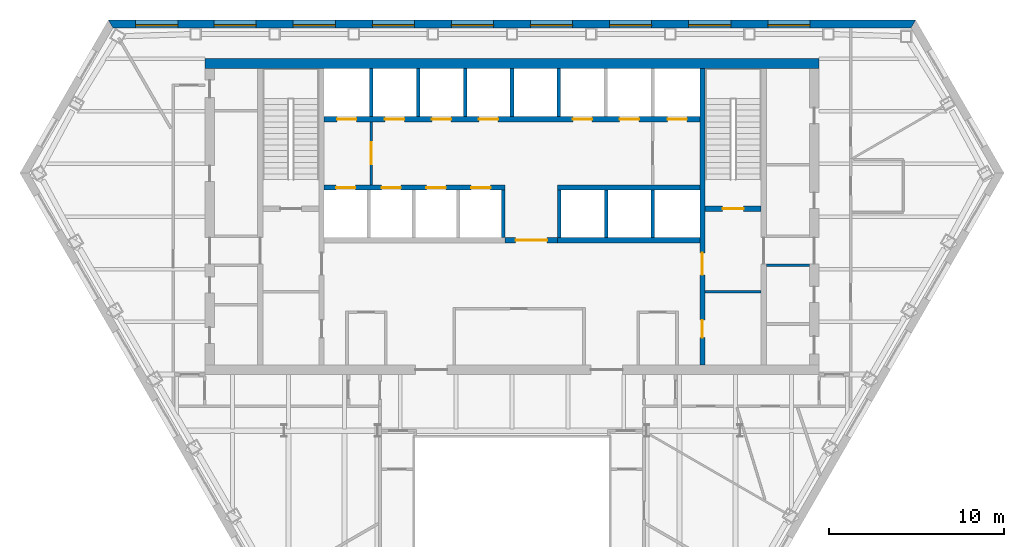
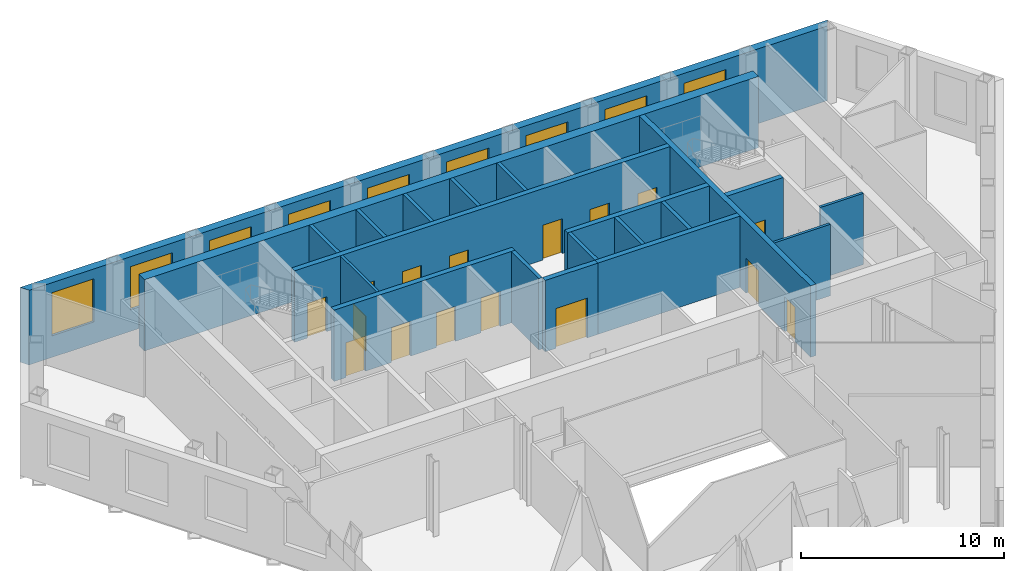
# One storey, part 7 of 11: 21 walls, 16 doors, 9 windows, 25 openings.
"""IFC4 building model written with IfcOpenShell, lengths in metres."""

from ifc_helpers import new_model, si_unit, direction, frame, frame_2d, origin, place, context, subcontext, project, spatial, polyline, rectangle, outline, extrude, material, layer, layer_set, type_object, element, fill, save


model = new_model("IFC4")

# Units and contexts
model_context = context("Model", 3, precision=1e-05, world=origin(), true_north=direction((0.0, 1.0)))
body_context = subcontext(model_context, "Body", "Model", "MODEL_VIEW")
ifc_project = project(units=[si_unit("LENGTHUNIT", "METRE"), si_unit("AREAUNIT", "SQUARE_METRE"), si_unit("VOLUMEUNIT", "CUBIC_METRE"), si_unit("PLANEANGLEUNIT", "RADIAN"), si_unit("MASSUNIT", "GRAM", prefix="KILO")], contexts=[model_context])

# Site, building, storey
site_placement = place(None, origin())
site = spatial("IfcSite", under=ifc_project, at=site_placement, CompositionType="ELEMENT")
building_placement = place(site_placement, origin())
building = spatial("IfcBuilding", under=site, at=building_placement, Name="Njiva Tower", CompositionType="ELEMENT")
storey_placement = place(building_placement, frame((0.0, 0.0, 97.8)))
storey = spatial("IfcBuildingStorey", under=building, at=storey_placement, Name="L20", CompositionType="ELEMENT", Elevation=97.8)

# Wall
ifc_material_1 = material(Name="Blockwork", Category="masonry")
ifc_layer_1 = layer(ifc_material_1, 0.15)
ifc_layer_set_1 = layer_set([ifc_layer_1], Name="Blockwork")
wall_type_1 = type_object("IfcWallType", Name="WT1 Compartment partition 150", PredefinedType="PARTITIONING", material=ifc_layer_set_1)
wall_1_placement = place(storey_placement, frame((11.0, 4.725, 0.0), z_axis=(0.0, 0.0, 1.0), x_axis=(1.0, 0.0, 0.0)))
element("IfcWall", 1, at=wall_1_placement, inside=storey, type_object=wall_type_1, Name="Room wall B", PredefinedType="PARTITIONING", context=body_context, shape_type="SweptSolid", body=[
    extrude(rectangle(XDim=3.2, YDim=0.15, at=frame_2d((1.6, 0.0))), origin(), (0.0, 0.0, 1.0), 4.3),
])

# Wall, openings, doors
ifc_material_2 = material(Name="Concrete C40/50", Category="concrete")
ifc_layer_2 = layer(ifc_material_2, 0.3)
ifc_layer_set_2 = layer_set([ifc_layer_2], Name="Concrete C40/50")
wall_type_2 = type_object("IfcWallType", Name="WT10 Stair enclosure wall 300", PredefinedType="SHEAR", material=ifc_layer_set_2)
wall_2_placement = place(storey_placement, frame((10.85, 0.55, 0.0), z_axis=(0.0, 0.0, 1.0), x_axis=(0.0, 1.0, 0.0)))
wall_2 = element("IfcWall", 2, at=wall_2_placement, inside=storey, type_object=wall_type_2, Name="Stair wall east inner", PredefinedType="SHEAR", context=body_context, shape_type="SweptSolid", body=[
    extrude(rectangle(XDim=16.9, YDim=0.3, at=frame_2d((8.45, 0.0))), origin(), (0.0, 0.0, 1.0), 4.3),
])
opening_1_placement = place(wall_2_placement, frame((5.125, 0.0, 0.0)))
opening_1 = element("IfcOpeningElement", 3, at=opening_1_placement, cuts=wall_2, Name="Opening S07-D918", PredefinedType="OPENING", context=body_context, shape_type="SweptSolid", body=[
    extrude(rectangle(XDim=1.25, YDim=2.1, at=frame_2d((0.625, 1.05))), frame((0.0, 0.16, 0.0), z_axis=(0.0, -1.0, 0.0), x_axis=(1.0, 0.0, 0.0)), (0.0, 0.0, 1.0), 0.32),
])
opening_2_placement = place(wall_2_placement, frame((1.55, 0.0, 0.0)))
opening_2 = element("IfcOpeningElement", 4, at=opening_2_placement, cuts=wall_2, Name="Opening S07-D919", PredefinedType="OPENING", context=body_context, shape_type="SweptSolid", body=[
    extrude(rectangle(XDim=1.0, YDim=2.1, at=frame_2d((0.5, 1.05))), frame((0.0, 0.16, 0.0), z_axis=(0.0, -1.0, 0.0), x_axis=(1.0, 0.0, 0.0)), (0.0, 0.0, 1.0), 0.32),
])
ifc_material_3 = material(Name="Steel door, painted", Category="steel")
door_type_1 = type_object("IfcDoorType", Name="D5 Steel door 1000x2100", OperationType="SINGLE_SWING_LEFT", PredefinedType="DOOR", material=ifc_material_3)
door_1_placement = place(opening_2_placement, origin())
door_1 = element("IfcDoor", 5, at=door_1_placement, inside=storey, type_object=door_type_1, Name="Breakout room door", OperationType="SINGLE_SWING_LEFT", OverallHeight=2.1, OverallWidth=1.0, PredefinedType="DOOR", context=body_context, shape_type="SweptSolid", body=[
    extrude(rectangle(XDim=1.0, YDim=2.1, at=frame_2d((0.5, 1.05))), frame((0.0, 0.025, 0.0), z_axis=(0.0, -1.0, 0.0), x_axis=(1.0, 0.0, 0.0)), (0.0, 0.0, 1.0), 0.05),
])
fill(opening_2, door_1)
ifc_material_4 = material(Name="Glazed steel fire door", Category="steel")
door_type_2 = type_object("IfcDoorType", Name="D8 Vestibule corridor door 1250x2100 glazed", OperationType="SINGLE_SWING_LEFT", PredefinedType="DOOR", material=ifc_material_4)
door_2_placement = place(opening_1_placement, origin())
door_2 = element("IfcDoor", 6, at=door_2_placement, inside=storey, type_object=door_type_2, Name="Stair vestibule corridor door", OperationType="SINGLE_SWING_RIGHT", OverallHeight=2.1, OverallWidth=1.25, PredefinedType="DOOR", context=body_context, shape_type="SweptSolid", body=[
    extrude(rectangle(XDim=1.25, YDim=2.1, at=frame_2d((0.625, 1.05))), frame((0.0, 0.025, 0.0), z_axis=(0.0, -1.0, 0.0), x_axis=(1.0, 0.0, 0.0)), (0.0, 0.0, 1.0), 0.05),
])
fill(opening_1, door_2)

# Wall, opening, door
wall_3_placement = place(storey_placement, frame((11.0, 9.45, 0.0), z_axis=(0.0, 0.0, 1.0), x_axis=(1.0, 0.0, 0.0)))
wall_3 = element("IfcWall", 7, at=wall_3_placement, inside=storey, type_object=wall_type_2, Name="Stair B south wall", PredefinedType="SHEAR", context=body_context, shape_type="SweptSolid", body=[
    extrude(rectangle(XDim=3.2, YDim=0.3, at=frame_2d((1.6, 0.0))), origin(), (0.0, 0.0, 1.0), 4.3),
])
opening_3_placement = place(wall_3_placement, frame((1.0, 0.0, 0.0)))
opening_3 = element("IfcOpeningElement", 8, at=opening_3_placement, cuts=wall_3, Name="Opening S07-D917", PredefinedType="OPENING", context=body_context, shape_type="SweptSolid", body=[
    extrude(rectangle(XDim=1.2, YDim=2.1, at=frame_2d((0.6, 1.05))), frame((0.0, 0.16, 0.0), z_axis=(0.0, -1.0, 0.0), x_axis=(1.0, 0.0, 0.0)), (0.0, 0.0, 1.0), 0.32),
])
door_type_3 = type_object("IfcDoorType", Name="D7 Stair vestibule door 1200x2100 glazed", OperationType="SINGLE_SWING_LEFT", PredefinedType="DOOR", material=ifc_material_4)
door_3_placement = place(opening_3_placement, origin())
door_3 = element("IfcDoor", 9, at=door_3_placement, inside=storey, type_object=door_type_3, Name="Stair B door", OperationType="SINGLE_SWING_LEFT", OverallHeight=2.1, OverallWidth=1.2, PredefinedType="DOOR", context=body_context, shape_type="SweptSolid", body=[
    extrude(rectangle(XDim=1.2, YDim=2.1, at=frame_2d((0.6, 1.05))), frame((0.0, 0.025, 0.0), z_axis=(0.0, -1.0, 0.0), x_axis=(1.0, 0.0, 0.0)), (0.0, 0.0, 1.0), 0.05),
])
fill(opening_3, door_3)

# Wall
ifc_material_5 = material(Name="Concrete C60/75", Category="concrete")
ifc_layer_3 = layer(ifc_material_5, 0.55)
ifc_layer_set_3 = layer_set([ifc_layer_3], Name="Concrete C60/75")
wall_type_3 = type_object("IfcWallType", Name="WT14 Core wall 550", PredefinedType="SHEAR", material=ifc_layer_set_3)
wall_4_placement = place(storey_placement, frame((-17.5, 17.725, 0.0), z_axis=(0.0, 0.0, 1.0), x_axis=(1.0, 0.0, 0.0)))
element("IfcWall", 10, at=wall_4_placement, inside=storey, type_object=wall_type_3, Name="Core wall north", PredefinedType="SHEAR", context=body_context, shape_type="SweptSolid", body=[
    extrude(rectangle(XDim=35.0, YDim=0.55, at=frame_2d((17.5, 0.0))), origin(), (0.0, 0.0, 1.0), 4.3),
])

# Wall, opening, door
ifc_layer_4 = layer(ifc_material_1, 0.15)
ifc_layer_set_4 = layer_set([ifc_layer_4], Name="Blockwork")
wall_type_4 = type_object("IfcWallType", Name="WT2 Lobby partition 150", PredefinedType="PARTITIONING", material=ifc_layer_set_4)
wall_5_placement = place(storey_placement, frame((-8.025, 10.8, 0.0), z_axis=(0.0, 0.0, 1.0), x_axis=(0.0, 1.0, 0.0)))
wall_5 = element("IfcWall", 11, at=wall_5_placement, inside=storey, type_object=wall_type_4, Name="Firefighting lobby wall A", PredefinedType="PARTITIONING", context=body_context, shape_type="SweptSolid", body=[
    extrude(rectangle(XDim=3.6, YDim=0.15, at=frame_2d((1.8, 0.0))), origin(), (0.0, 0.0, 1.0), 4.3),
])
opening_4_placement = place(wall_5_placement, frame((1.175, 0.0, 0.0)))
opening_4 = element("IfcOpeningElement", 12, at=opening_4_placement, cuts=wall_5, Name="Opening S07-D912", PredefinedType="OPENING", context=body_context, shape_type="SweptSolid", body=[
    extrude(rectangle(XDim=1.25, YDim=2.1, at=frame_2d((0.625, 1.05))), frame((0.0, 0.085, 0.0), z_axis=(0.0, -1.0, 0.0), x_axis=(1.0, 0.0, 0.0)), (0.0, 0.0, 1.0), 0.17),
])
door_4_placement = place(opening_4_placement, origin())
door_4 = element("IfcDoor", 13, at=door_4_placement, inside=storey, type_object=door_type_2, Name="Stair vestibule corridor door", OperationType="SINGLE_SWING_RIGHT", OverallHeight=2.1, OverallWidth=1.25, PredefinedType="DOOR", context=body_context, shape_type="SweptSolid", body=[
    extrude(rectangle(XDim=1.25, YDim=2.1, at=frame_2d((0.625, 1.05))), frame((0.0, 0.025, 0.0), z_axis=(0.0, -1.0, 0.0), x_axis=(1.0, 0.0, 0.0)), (0.0, 0.0, 1.0), 0.05),
])
fill(opening_4, door_4)

# Wall
ifc_layer_5 = layer(ifc_material_1, 0.15)
ifc_layer_set_5 = layer_set([ifc_layer_5], Name="Blockwork")
wall_type_5 = type_object("IfcWallType", Name="WT4 Stair partition 150", PredefinedType="PARTITIONING", material=ifc_layer_set_5)
wall_6_placement = place(storey_placement, frame((14.5, 6.225, 0.0), z_axis=(0.0, 0.0, 1.0), x_axis=(1.0, 0.0, 0.0)))
element("IfcWall", 14, at=wall_6_placement, inside=storey, type_object=wall_type_5, Name="Stair B exit passage wall south", PredefinedType="PARTITIONING", context=body_context, shape_type="SweptSolid", body=[
    extrude(rectangle(XDim=2.45, YDim=0.15, at=frame_2d((1.225, 0.0))), origin(), (0.0, 0.0, 1.0), 4.3),
])

# Wall, opening, door
ifc_layer_6 = layer(ifc_material_1, 0.3)
ifc_layer_set_6 = layer_set([ifc_layer_6], Name="Blockwork")
wall_type_6 = type_object("IfcWallType", Name="WT5 Lobby partition 300", PredefinedType="PARTITIONING", material=ifc_layer_set_6)
wall_7_placement = place(storey_placement, frame((-0.4, 7.65, 0.0), z_axis=(0.0, 0.0, 1.0), x_axis=(1.0, 0.0, 0.0)))
wall_7 = element("IfcWall", 15, at=wall_7_placement, inside=storey, type_object=wall_type_6, Name="Lift lobby screen wall", PredefinedType="PARTITIONING", context=body_context, shape_type="SweptSolid", body=[
    extrude(rectangle(XDim=3.0, YDim=0.3, at=frame_2d((1.5, 0.0))), origin(), (0.0, 0.0, 1.0), 4.3),
])
opening_5_placement = place(wall_7_placement, frame((0.6, 0.0, 0.0)))
opening_5 = element("IfcOpeningElement", 16, at=opening_5_placement, cuts=wall_7, Name="Opening S07-D935", PredefinedType="OPENING", context=body_context, shape_type="SweptSolid", body=[
    extrude(rectangle(XDim=1.8, YDim=2.4, at=frame_2d((0.9, 1.2))), frame((0.0, 0.16, 0.0), z_axis=(0.0, -1.0, 0.0), x_axis=(1.0, 0.0, 0.0)), (0.0, 0.0, 1.0), 0.32),
])
ifc_material_6 = material(Name="Steel and glass door", Category="steel")
door_type_4 = type_object("IfcDoorType", Name="D3 Core entrance door 1800x2400", OperationType="DOUBLE_DOOR_SINGLE_SWING", PredefinedType="DOOR", material=ifc_material_6)
door_5_placement = place(opening_5_placement, origin())
door_5 = element("IfcDoor", 17, at=door_5_placement, inside=storey, type_object=door_type_4, Name="Core entrance door", OperationType="DOUBLE_DOOR_SINGLE_SWING", OverallHeight=2.4, OverallWidth=1.8, PredefinedType="DOOR", context=body_context, shape_type="SweptSolid", body=[
    extrude(rectangle(XDim=1.8, YDim=2.4, at=frame_2d((0.9, 1.2))), frame((0.0, 0.025, 0.0), z_axis=(0.0, -1.0, 0.0), x_axis=(1.0, 0.0, 0.0)), (0.0, 0.0, 1.0), 0.05),
])
fill(opening_5, door_5)

# Walls
ifc_layer_7 = layer(ifc_material_2, 0.2)
ifc_layer_set_7 = layer_set([ifc_layer_7], Name="Concrete C40/50")
wall_type_7 = type_object("IfcWallType", Name="WT6 Lift shaft wall 200", PredefinedType="SHEAR", material=ifc_layer_set_7)
for number, where, z_axis, x_axis, name in (
    (18, (-8.025, 14.7, 0.0), (0.0, 0.0, 1.0), (0.0, 1.0, 0.0), "Shaft wall CN1"),
    (19, (-5.35, 14.7, 0.0), (0.0, 0.0, 1.0), (0.0, 1.0, 0.0), "Shaft wall CN2"),
    (20, (-2.675, 14.7, 0.0), (0.0, 0.0, 1.0), (0.0, 1.0, 0.0), "Shaft wall CN3"),
    (21, (0.0, 14.7, 0.0), (0.0, 0.0, 1.0), (0.0, 1.0, 0.0), "Shaft wall CN4"),
    (22, (2.675, 14.7, 0.0), (0.0, 0.0, 1.0), (0.0, 1.0, 0.0), "Shaft wall CN5"),
):
    element("IfcWall", number, at=place(storey_placement, frame(where, z_axis=z_axis, x_axis=x_axis)), inside=storey, type_object=wall_type_7, Name=name, PredefinedType="SHEAR", context=body_context, shape_type="SweptSolid", body=[
        extrude(rectangle(XDim=2.75, YDim=0.2, at=frame_2d((1.375, 0.0))), origin(), (0.0, 0.0, 1.0), 4.3),
    ])
for number, where, z_axis, x_axis, name in (
    (23, (-0.5, 7.8, 0.0), (0.0, 0.0, 1.0), (0.0, 1.0, 0.0), "Shaft wall CS4"),
    (24, (2.7, 7.8, 0.0), (0.0, 0.0, 1.0), (0.0, 1.0, 0.0), "Shaft wall CS5"),
    (25, (5.3667, 7.8, 0.0), (0.0, 0.0, 1.0), (0.0, 1.0, 0.0), "Shaft wall CS6"),
    (26, (8.0333, 7.8, 0.0), (0.0, 0.0, 1.0), (0.0, 1.0, 0.0), "Shaft wall CS7"),
):
    element("IfcWall", number, at=place(storey_placement, frame(where, z_axis=z_axis, x_axis=x_axis)), inside=storey, type_object=wall_type_7, Name=name, PredefinedType="SHEAR", context=body_context, shape_type="SweptSolid", body=[
        extrude(rectangle(XDim=2.7, YDim=0.2, at=frame_2d((1.35, 0.0))), origin(), (0.0, 0.0, 1.0), 4.3),
    ])

# Wall, openings, doors
ifc_layer_8 = layer(ifc_material_2, 0.3)
ifc_layer_set_8 = layer_set([ifc_layer_8], Name="Concrete C40/50")
wall_type_8 = type_object("IfcWallType", Name="WT7 Lift shaft wall 300", PredefinedType="SHEAR", material=ifc_layer_set_8)
wall_8_placement = place(storey_placement, frame((-10.7, 14.55, 0.0), z_axis=(0.0, 0.0, 1.0), x_axis=(1.0, 0.0, 0.0)))
wall_8 = element("IfcWall", 27, at=wall_8_placement, inside=storey, type_object=wall_type_8, Name="Shaft wall north row lobby side", PredefinedType="SHEAR", context=body_context, shape_type="SweptSolid", body=[
    extrude(rectangle(XDim=21.4, YDim=0.3, at=frame_2d((10.7, 0.0))), origin(), (0.0, 0.0, 1.0), 4.3),
])
opening_6_placement = place(wall_8_placement, frame((0.7375, 0.0, 0.0)))
opening_6 = element("IfcOpeningElement", 28, at=opening_6_placement, cuts=wall_8, Name="Opening S07-D901", PredefinedType="OPENING", context=body_context, shape_type="SweptSolid", body=[
    extrude(rectangle(XDim=1.1, YDim=2.1, at=frame_2d((0.55, 1.05))), frame((0.0, 0.16, 0.0), z_axis=(0.0, -1.0, 0.0), x_axis=(1.0, 0.0, 0.0)), (0.0, 0.0, 1.0), 0.32),
])
opening_7_placement = place(wall_8_placement, frame((3.4625, 0.0, 0.0)))
opening_7 = element("IfcOpeningElement", 29, at=opening_7_placement, cuts=wall_8, Name="Opening S07-D902", PredefinedType="OPENING", context=body_context, shape_type="SweptSolid", body=[
    extrude(rectangle(XDim=1.1, YDim=2.1, at=frame_2d((0.55, 1.05))), frame((0.0, 0.16, 0.0), z_axis=(0.0, -1.0, 0.0), x_axis=(1.0, 0.0, 0.0)), (0.0, 0.0, 1.0), 0.32),
])
opening_8_placement = place(wall_8_placement, frame((6.1375, 0.0, 0.0)))
opening_8 = element("IfcOpeningElement", 30, at=opening_8_placement, cuts=wall_8, Name="Opening S07-D903", PredefinedType="OPENING", context=body_context, shape_type="SweptSolid", body=[
    extrude(rectangle(XDim=1.1, YDim=2.1, at=frame_2d((0.55, 1.05))), frame((0.0, 0.16, 0.0), z_axis=(0.0, -1.0, 0.0), x_axis=(1.0, 0.0, 0.0)), (0.0, 0.0, 1.0), 0.32),
])
opening_9_placement = place(wall_8_placement, frame((8.8125, 0.0, 0.0)))
opening_9 = element("IfcOpeningElement", 31, at=opening_9_placement, cuts=wall_8, Name="Opening S07-D904", PredefinedType="OPENING", context=body_context, shape_type="SweptSolid", body=[
    extrude(rectangle(XDim=1.1, YDim=2.1, at=frame_2d((0.55, 1.05))), frame((0.0, 0.16, 0.0), z_axis=(0.0, -1.0, 0.0), x_axis=(1.0, 0.0, 0.0)), (0.0, 0.0, 1.0), 0.32),
])
opening_10_placement = place(wall_8_placement, frame((14.1625, 0.0, 0.0)))
opening_10 = element("IfcOpeningElement", 32, at=opening_10_placement, cuts=wall_8, Name="Opening S07-D905", PredefinedType="OPENING", context=body_context, shape_type="SweptSolid", body=[
    extrude(rectangle(XDim=1.1, YDim=2.1, at=frame_2d((0.55, 1.05))), frame((0.0, 0.16, 0.0), z_axis=(0.0, -1.0, 0.0), x_axis=(1.0, 0.0, 0.0)), (0.0, 0.0, 1.0), 0.32),
])
opening_11_placement = place(wall_8_placement, frame((16.8375, 0.0, 0.0)))
opening_11 = element("IfcOpeningElement", 33, at=opening_11_placement, cuts=wall_8, Name="Opening S07-D906", PredefinedType="OPENING", context=body_context, shape_type="SweptSolid", body=[
    extrude(rectangle(XDim=1.1, YDim=2.1, at=frame_2d((0.55, 1.05))), frame((0.0, 0.16, 0.0), z_axis=(0.0, -1.0, 0.0), x_axis=(1.0, 0.0, 0.0)), (0.0, 0.0, 1.0), 0.32),
])
opening_12_placement = place(wall_8_placement, frame((19.5625, 0.0, 0.0)))
opening_12 = element("IfcOpeningElement", 34, at=opening_12_placement, cuts=wall_8, Name="Opening S07-D907", PredefinedType="OPENING", context=body_context, shape_type="SweptSolid", body=[
    extrude(rectangle(XDim=1.1, YDim=2.1, at=frame_2d((0.55, 1.05))), frame((0.0, 0.16, 0.0), z_axis=(0.0, -1.0, 0.0), x_axis=(1.0, 0.0, 0.0)), (0.0, 0.0, 1.0), 0.32),
])
ifc_material_7 = material(Name="Stainless steel sliding door", Category="steel")
door_type_5 = type_object("IfcDoorType", Name="LD Lift landing door 1100x2100", OperationType="SLIDING_TO_LEFT", PredefinedType="DOOR", material=ifc_material_7)
door_6_placement = place(opening_6_placement, origin())
door_6 = element("IfcDoor", 35, at=door_6_placement, inside=storey, type_object=door_type_5, Name="Lift landing door FF1", OperationType="SLIDING_TO_LEFT", OverallHeight=2.1, OverallWidth=1.1, PredefinedType="DOOR", context=body_context, shape_type="SweptSolid", body=[
    extrude(rectangle(XDim=1.1, YDim=2.1, at=frame_2d((0.55, 1.05))), frame((0.0, 0.025, 0.0), z_axis=(0.0, -1.0, 0.0), x_axis=(1.0, 0.0, 0.0)), (0.0, 0.0, 1.0), 0.05),
])
fill(opening_6, door_6)
door_7_placement = place(opening_7_placement, origin())
door_7 = element("IfcDoor", 36, at=door_7_placement, inside=storey, type_object=door_type_5, Name="Lift landing door LB1", OperationType="SLIDING_TO_LEFT", OverallHeight=2.1, OverallWidth=1.1, PredefinedType="DOOR", context=body_context, shape_type="SweptSolid", body=[
    extrude(rectangle(XDim=1.1, YDim=2.1, at=frame_2d((0.55, 1.05))), frame((0.0, 0.025, 0.0), z_axis=(0.0, -1.0, 0.0), x_axis=(1.0, 0.0, 0.0)), (0.0, 0.0, 1.0), 0.05),
])
fill(opening_7, door_7)
door_8_placement = place(opening_8_placement, origin())
door_8 = element("IfcDoor", 37, at=door_8_placement, inside=storey, type_object=door_type_5, Name="Lift landing door LB2", OperationType="SLIDING_TO_LEFT", OverallHeight=2.1, OverallWidth=1.1, PredefinedType="DOOR", context=body_context, shape_type="SweptSolid", body=[
    extrude(rectangle(XDim=1.1, YDim=2.1, at=frame_2d((0.55, 1.05))), frame((0.0, 0.025, 0.0), z_axis=(0.0, -1.0, 0.0), x_axis=(1.0, 0.0, 0.0)), (0.0, 0.0, 1.0), 0.05),
])
fill(opening_8, door_8)
door_9_placement = place(opening_9_placement, origin())
door_9 = element("IfcDoor", 38, at=door_9_placement, inside=storey, type_object=door_type_5, Name="Lift landing door LB3", OperationType="SLIDING_TO_LEFT", OverallHeight=2.1, OverallWidth=1.1, PredefinedType="DOOR", context=body_context, shape_type="SweptSolid", body=[
    extrude(rectangle(XDim=1.1, YDim=2.1, at=frame_2d((0.55, 1.05))), frame((0.0, 0.025, 0.0), z_axis=(0.0, -1.0, 0.0), x_axis=(1.0, 0.0, 0.0)), (0.0, 0.0, 1.0), 0.05),
])
fill(opening_9, door_9)
door_10_placement = place(opening_10_placement, origin())
door_10 = element("IfcDoor", 39, at=door_10_placement, inside=storey, type_object=door_type_5, Name="Lift landing door FR1", OperationType="SLIDING_TO_LEFT", OverallHeight=2.1, OverallWidth=1.1, PredefinedType="DOOR", context=body_context, shape_type="SweptSolid", body=[
    extrude(rectangle(XDim=1.1, YDim=2.1, at=frame_2d((0.55, 1.05))), frame((0.0, 0.025, 0.0), z_axis=(0.0, -1.0, 0.0), x_axis=(1.0, 0.0, 0.0)), (0.0, 0.0, 1.0), 0.05),
])
fill(opening_10, door_10)
door_11_placement = place(opening_11_placement, origin())
door_11 = element("IfcDoor", 40, at=door_11_placement, inside=storey, type_object=door_type_5, Name="Lift landing door FR2", OperationType="SLIDING_TO_LEFT", OverallHeight=2.1, OverallWidth=1.1, PredefinedType="DOOR", context=body_context, shape_type="SweptSolid", body=[
    extrude(rectangle(XDim=1.1, YDim=2.1, at=frame_2d((0.55, 1.05))), frame((0.0, 0.025, 0.0), z_axis=(0.0, -1.0, 0.0), x_axis=(1.0, 0.0, 0.0)), (0.0, 0.0, 1.0), 0.05),
])
fill(opening_11, door_11)
door_12_placement = place(opening_12_placement, origin())
door_12 = element("IfcDoor", 41, at=door_12_placement, inside=storey, type_object=door_type_5, Name="Lift landing door FF2", OperationType="SLIDING_TO_LEFT", OverallHeight=2.1, OverallWidth=1.1, PredefinedType="DOOR", context=body_context, shape_type="SweptSolid", body=[
    extrude(rectangle(XDim=1.1, YDim=2.1, at=frame_2d((0.55, 1.05))), frame((0.0, 0.025, 0.0), z_axis=(0.0, -1.0, 0.0), x_axis=(1.0, 0.0, 0.0)), (0.0, 0.0, 1.0), 0.05),
])
fill(opening_12, door_12)

wall_9_placement = place(storey_placement, frame((-10.7, 10.65, 0.0), z_axis=(0.0, 0.0, 1.0), x_axis=(1.0, 0.0, 0.0)))
wall_9 = element("IfcWall", 42, at=wall_9_placement, inside=storey, type_object=wall_type_8, Name="Shaft wall south row lobby side W", PredefinedType="SHEAR", context=body_context, shape_type="SweptSolid", body=[
    extrude(rectangle(XDim=10.3, YDim=0.3, at=frame_2d((5.15, 0.0))), origin(), (0.0, 0.0, 1.0), 4.3),
])
opening_13_placement = place(wall_9_placement, frame((0.675, 0.0, 0.0)))
opening_13 = element("IfcOpeningElement", 43, at=opening_13_placement, cuts=wall_9, Name="Opening S07-D908", PredefinedType="OPENING", context=body_context, shape_type="SweptSolid", body=[
    extrude(rectangle(XDim=1.1, YDim=2.1, at=frame_2d((0.55, 1.05))), frame((0.0, 0.16, 0.0), z_axis=(0.0, -1.0, 0.0), x_axis=(1.0, 0.0, 0.0)), (0.0, 0.0, 1.0), 0.32),
])
opening_14_placement = place(wall_9_placement, frame((3.275, 0.0, 0.0)))
opening_14 = element("IfcOpeningElement", 44, at=opening_14_placement, cuts=wall_9, Name="Opening S07-D909", PredefinedType="OPENING", context=body_context, shape_type="SweptSolid", body=[
    extrude(rectangle(XDim=1.1, YDim=2.1, at=frame_2d((0.55, 1.05))), frame((0.0, 0.16, 0.0), z_axis=(0.0, -1.0, 0.0), x_axis=(1.0, 0.0, 0.0)), (0.0, 0.0, 1.0), 0.32),
])
opening_15_placement = place(wall_9_placement, frame((5.825, 0.0, 0.0)))
opening_15 = element("IfcOpeningElement", 45, at=opening_15_placement, cuts=wall_9, Name="Opening S07-D910", PredefinedType="OPENING", context=body_context, shape_type="SweptSolid", body=[
    extrude(rectangle(XDim=1.1, YDim=2.1, at=frame_2d((0.55, 1.05))), frame((0.0, 0.16, 0.0), z_axis=(0.0, -1.0, 0.0), x_axis=(1.0, 0.0, 0.0)), (0.0, 0.0, 1.0), 0.32),
])
opening_16_placement = place(wall_9_placement, frame((8.375, 0.0, 0.0)))
opening_16 = element("IfcOpeningElement", 46, at=opening_16_placement, cuts=wall_9, Name="Opening S07-D911", PredefinedType="OPENING", context=body_context, shape_type="SweptSolid", body=[
    extrude(rectangle(XDim=1.1, YDim=2.1, at=frame_2d((0.55, 1.05))), frame((0.0, 0.16, 0.0), z_axis=(0.0, -1.0, 0.0), x_axis=(1.0, 0.0, 0.0)), (0.0, 0.0, 1.0), 0.32),
])
door_13_placement = place(opening_13_placement, origin())
door_13 = element("IfcDoor", 47, at=door_13_placement, inside=storey, type_object=door_type_5, Name="Lift landing door LB4", OperationType="SLIDING_TO_LEFT", OverallHeight=2.1, OverallWidth=1.1, PredefinedType="DOOR", context=body_context, shape_type="SweptSolid", body=[
    extrude(rectangle(XDim=1.1, YDim=2.1, at=frame_2d((0.55, 1.05))), frame((0.0, 0.025, 0.0), z_axis=(0.0, -1.0, 0.0), x_axis=(1.0, 0.0, 0.0)), (0.0, 0.0, 1.0), 0.05),
])
fill(opening_13, door_13)
door_14_placement = place(opening_14_placement, origin())
door_14 = element("IfcDoor", 48, at=door_14_placement, inside=storey, type_object=door_type_5, Name="Lift landing door LB5", OperationType="SLIDING_TO_LEFT", OverallHeight=2.1, OverallWidth=1.1, PredefinedType="DOOR", context=body_context, shape_type="SweptSolid", body=[
    extrude(rectangle(XDim=1.1, YDim=2.1, at=frame_2d((0.55, 1.05))), frame((0.0, 0.025, 0.0), z_axis=(0.0, -1.0, 0.0), x_axis=(1.0, 0.0, 0.0)), (0.0, 0.0, 1.0), 0.05),
])
fill(opening_14, door_14)
door_15_placement = place(opening_15_placement, origin())
door_15 = element("IfcDoor", 49, at=door_15_placement, inside=storey, type_object=door_type_5, Name="Lift landing door LB6", OperationType="SLIDING_TO_LEFT", OverallHeight=2.1, OverallWidth=1.1, PredefinedType="DOOR", context=body_context, shape_type="SweptSolid", body=[
    extrude(rectangle(XDim=1.1, YDim=2.1, at=frame_2d((0.55, 1.05))), frame((0.0, 0.025, 0.0), z_axis=(0.0, -1.0, 0.0), x_axis=(1.0, 0.0, 0.0)), (0.0, 0.0, 1.0), 0.05),
])
fill(opening_15, door_15)
door_16_placement = place(opening_16_placement, origin())
door_16 = element("IfcDoor", 50, at=door_16_placement, inside=storey, type_object=door_type_5, Name="Lift landing door LB7", OperationType="SLIDING_TO_LEFT", OverallHeight=2.1, OverallWidth=1.1, PredefinedType="DOOR", context=body_context, shape_type="SweptSolid", body=[
    extrude(rectangle(XDim=1.1, YDim=2.1, at=frame_2d((0.55, 1.05))), frame((0.0, 0.025, 0.0), z_axis=(0.0, -1.0, 0.0), x_axis=(1.0, 0.0, 0.0)), (0.0, 0.0, 1.0), 0.05),
])
fill(opening_16, door_16)

# Walls
for number, where, z_axis, x_axis, name in (
    (51, (2.6, 10.65, 0.0), (0.0, 0.0, 1.0), (1.0, 0.0, 0.0), "Shaft wall south row lobby side E"),
    (52, (2.6, 7.65, 0.0), (0.0, 0.0, 1.0), (1.0, 0.0, 0.0), "Shaft wall south row back E"),
):
    element("IfcWall", number, at=place(storey_placement, frame(where, z_axis=z_axis, x_axis=x_axis)), inside=storey, type_object=wall_type_8, Name=name, PredefinedType="SHEAR", context=body_context, shape_type="SweptSolid", body=[
        extrude(rectangle(XDim=8.1, YDim=0.3, at=frame_2d((4.05, 0.0))), origin(), (0.0, 0.0, 1.0), 4.3),
    ])

# Wall, openings, windows
ifc_material_8 = material(Name="Brick masonry", Category="masonry")
ifc_layer_9 = layer(ifc_material_8, 0.45)
ifc_layer_set_9 = layer_set([ifc_layer_9], Name="Brick masonry")
wall_type_9 = type_object("IfcWallType", Name="WT90 Brick pier and spandrel wall 450", PredefinedType="SOLIDWALL", material=ifc_layer_set_9)
wall_10_placement = place(storey_placement, frame((22.8701, 19.975, -0.4), z_axis=(0.0, 0.0, 1.0), x_axis=(-1.0, 0.0, 0.0)))
wall_10 = element("IfcWall", 53, at=wall_10_placement, inside=storey, type_object=wall_type_9, Name="Facade wall N", PredefinedType="SOLIDWALL", context=body_context, shape_type="SweptSolid", body=[
    extrude(outline(polyline([(-0.1299, -0.225), (45.8701, -0.225), (45.6103, 0.225), (0.1299, 0.225), (-0.1299, -0.225)])), origin(), (0.0, 0.0, 1.0), 4.5),
])
opening_17_placement = place(wall_10_placement, frame((5.8934, 0.0, 1.3)))
opening_17 = element("IfcOpeningElement", 54, at=opening_17_placement, cuts=wall_10, Name="Opening S07-W01", PredefinedType="OPENING", context=body_context, shape_type="SweptSolid", body=[
    extrude(rectangle(XDim=2.4, YDim=2.6, at=frame_2d((1.2, 1.3))), frame((0.0, 0.235, 0.0), z_axis=(0.0, -1.0, 0.0), x_axis=(1.0, 0.0, 0.0)), (0.0, 0.0, 1.0), 0.47),
])
opening_18_placement = place(wall_10_placement, frame((10.401, 0.0, 1.3)))
opening_18 = element("IfcOpeningElement", 55, at=opening_18_placement, cuts=wall_10, Name="Opening S07-W02", PredefinedType="OPENING", context=body_context, shape_type="SweptSolid", body=[
    extrude(rectangle(XDim=2.4, YDim=2.6, at=frame_2d((1.2, 1.3))), frame((0.0, 0.235, 0.0), z_axis=(0.0, -1.0, 0.0), x_axis=(1.0, 0.0, 0.0)), (0.0, 0.0, 1.0), 0.47),
])
opening_19_placement = place(wall_10_placement, frame((14.9087, 0.0, 1.3)))
opening_19 = element("IfcOpeningElement", 56, at=opening_19_placement, cuts=wall_10, Name="Opening S07-W03", PredefinedType="OPENING", context=body_context, shape_type="SweptSolid", body=[
    extrude(rectangle(XDim=2.4, YDim=2.6, at=frame_2d((1.2, 1.3))), frame((0.0, 0.235, 0.0), z_axis=(0.0, -1.0, 0.0), x_axis=(1.0, 0.0, 0.0)), (0.0, 0.0, 1.0), 0.47),
])
opening_20_placement = place(wall_10_placement, frame((19.4163, 0.0, 1.3)))
opening_20 = element("IfcOpeningElement", 57, at=opening_20_placement, cuts=wall_10, Name="Opening S07-W04", PredefinedType="OPENING", context=body_context, shape_type="SweptSolid", body=[
    extrude(rectangle(XDim=2.4, YDim=2.6, at=frame_2d((1.2, 1.3))), frame((0.0, 0.235, 0.0), z_axis=(0.0, -1.0, 0.0), x_axis=(1.0, 0.0, 0.0)), (0.0, 0.0, 1.0), 0.47),
])
opening_21_placement = place(wall_10_placement, frame((23.9239, 0.0, 1.3)))
opening_21 = element("IfcOpeningElement", 58, at=opening_21_placement, cuts=wall_10, Name="Opening S07-W05", PredefinedType="OPENING", context=body_context, shape_type="SweptSolid", body=[
    extrude(rectangle(XDim=2.4, YDim=2.6, at=frame_2d((1.2, 1.3))), frame((0.0, 0.235, 0.0), z_axis=(0.0, -1.0, 0.0), x_axis=(1.0, 0.0, 0.0)), (0.0, 0.0, 1.0), 0.47),
])
opening_22_placement = place(wall_10_placement, frame((28.4315, 0.0, 1.3)))
opening_22 = element("IfcOpeningElement", 59, at=opening_22_placement, cuts=wall_10, Name="Opening S07-W06", PredefinedType="OPENING", context=body_context, shape_type="SweptSolid", body=[
    extrude(rectangle(XDim=2.4, YDim=2.6, at=frame_2d((1.2, 1.3))), frame((0.0, 0.235, 0.0), z_axis=(0.0, -1.0, 0.0), x_axis=(1.0, 0.0, 0.0)), (0.0, 0.0, 1.0), 0.47),
])
opening_23_placement = place(wall_10_placement, frame((32.9391, 0.0, 1.3)))
opening_23 = element("IfcOpeningElement", 60, at=opening_23_placement, cuts=wall_10, Name="Opening S07-W07", PredefinedType="OPENING", context=body_context, shape_type="SweptSolid", body=[
    extrude(rectangle(XDim=2.4, YDim=2.6, at=frame_2d((1.2, 1.3))), frame((0.0, 0.235, 0.0), z_axis=(0.0, -1.0, 0.0), x_axis=(1.0, 0.0, 0.0)), (0.0, 0.0, 1.0), 0.47),
])
opening_24_placement = place(wall_10_placement, frame((37.4468, 0.0, 1.3)))
opening_24 = element("IfcOpeningElement", 61, at=opening_24_placement, cuts=wall_10, Name="Opening S07-W08", PredefinedType="OPENING", context=body_context, shape_type="SweptSolid", body=[
    extrude(rectangle(XDim=2.4, YDim=2.6, at=frame_2d((1.2, 1.3))), frame((0.0, 0.235, 0.0), z_axis=(0.0, -1.0, 0.0), x_axis=(1.0, 0.0, 0.0)), (0.0, 0.0, 1.0), 0.47),
])
opening_25_placement = place(wall_10_placement, frame((41.916, 0.0, 1.3)))
opening_25 = element("IfcOpeningElement", 62, at=opening_25_placement, cuts=wall_10, Name="Opening S07-W09", PredefinedType="OPENING", context=body_context, shape_type="SweptSolid", body=[
    extrude(rectangle(XDim=2.4, YDim=2.6, at=frame_2d((1.2, 1.3))), frame((0.0, 0.235, 0.0), z_axis=(0.0, -1.0, 0.0), x_axis=(1.0, 0.0, 0.0)), (0.0, 0.0, 1.0), 0.47),
])
ifc_material_9 = material(Name="Clear glazing in aluminium frame", Category="aluminium")
window_type = type_object("IfcWindowType", Name="W92 Deep-set window 2400x2600", PartitioningType="SINGLE_PANEL", PredefinedType="WINDOW", material=ifc_material_9)
window_1_placement = place(opening_17_placement, origin())
window_1 = element("IfcWindow", 63, at=window_1_placement, inside=storey, type_object=window_type, Name="Window", OverallHeight=2.6, OverallWidth=2.4, PartitioningType="SINGLE_PANEL", PredefinedType="WINDOW", context=body_context, shape_type="SweptSolid", body=[
    extrude(rectangle(XDim=2.4, YDim=2.6, at=frame_2d((1.2, 1.3))), frame((0.0, 0.105, 0.0), z_axis=(0.0, -1.0, 0.0), x_axis=(1.0, 0.0, 0.0)), (0.0, 0.0, 1.0), 0.06),
])
fill(opening_17, window_1)
window_2_placement = place(opening_18_placement, origin())
window_2 = element("IfcWindow", 64, at=window_2_placement, inside=storey, type_object=window_type, Name="Window", OverallHeight=2.6, OverallWidth=2.4, PartitioningType="SINGLE_PANEL", PredefinedType="WINDOW", context=body_context, shape_type="SweptSolid", body=[
    extrude(rectangle(XDim=2.4, YDim=2.6, at=frame_2d((1.2, 1.3))), frame((0.0, 0.105, 0.0), z_axis=(0.0, -1.0, 0.0), x_axis=(1.0, 0.0, 0.0)), (0.0, 0.0, 1.0), 0.06),
])
fill(opening_18, window_2)
window_3_placement = place(opening_19_placement, origin())
window_3 = element("IfcWindow", 65, at=window_3_placement, inside=storey, type_object=window_type, Name="Window", OverallHeight=2.6, OverallWidth=2.4, PartitioningType="SINGLE_PANEL", PredefinedType="WINDOW", context=body_context, shape_type="SweptSolid", body=[
    extrude(rectangle(XDim=2.4, YDim=2.6, at=frame_2d((1.2, 1.3))), frame((0.0, 0.105, 0.0), z_axis=(0.0, -1.0, 0.0), x_axis=(1.0, 0.0, 0.0)), (0.0, 0.0, 1.0), 0.06),
])
fill(opening_19, window_3)
window_4_placement = place(opening_20_placement, origin())
window_4 = element("IfcWindow", 66, at=window_4_placement, inside=storey, type_object=window_type, Name="Window", OverallHeight=2.6, OverallWidth=2.4, PartitioningType="SINGLE_PANEL", PredefinedType="WINDOW", context=body_context, shape_type="SweptSolid", body=[
    extrude(rectangle(XDim=2.4, YDim=2.6, at=frame_2d((1.2, 1.3))), frame((0.0, 0.105, 0.0), z_axis=(0.0, -1.0, 0.0), x_axis=(1.0, 0.0, 0.0)), (0.0, 0.0, 1.0), 0.06),
])
fill(opening_20, window_4)
window_5_placement = place(opening_21_placement, origin())
window_5 = element("IfcWindow", 67, at=window_5_placement, inside=storey, type_object=window_type, Name="Window", OverallHeight=2.6, OverallWidth=2.4, PartitioningType="SINGLE_PANEL", PredefinedType="WINDOW", context=body_context, shape_type="SweptSolid", body=[
    extrude(rectangle(XDim=2.4, YDim=2.6, at=frame_2d((1.2, 1.3))), frame((0.0, 0.105, 0.0), z_axis=(0.0, -1.0, 0.0), x_axis=(1.0, 0.0, 0.0)), (0.0, 0.0, 1.0), 0.06),
])
fill(opening_21, window_5)
window_6_placement = place(opening_22_placement, origin())
window_6 = element("IfcWindow", 68, at=window_6_placement, inside=storey, type_object=window_type, Name="Window", OverallHeight=2.6, OverallWidth=2.4, PartitioningType="SINGLE_PANEL", PredefinedType="WINDOW", context=body_context, shape_type="SweptSolid", body=[
    extrude(rectangle(XDim=2.4, YDim=2.6, at=frame_2d((1.2, 1.3))), frame((0.0, 0.105, 0.0), z_axis=(0.0, -1.0, 0.0), x_axis=(1.0, 0.0, 0.0)), (0.0, 0.0, 1.0), 0.06),
])
fill(opening_22, window_6)
window_7_placement = place(opening_23_placement, origin())
window_7 = element("IfcWindow", 69, at=window_7_placement, inside=storey, type_object=window_type, Name="Window", OverallHeight=2.6, OverallWidth=2.4, PartitioningType="SINGLE_PANEL", PredefinedType="WINDOW", context=body_context, shape_type="SweptSolid", body=[
    extrude(rectangle(XDim=2.4, YDim=2.6, at=frame_2d((1.2, 1.3))), frame((0.0, 0.105, 0.0), z_axis=(0.0, -1.0, 0.0), x_axis=(1.0, 0.0, 0.0)), (0.0, 0.0, 1.0), 0.06),
])
fill(opening_23, window_7)
window_8_placement = place(opening_24_placement, origin())
window_8 = element("IfcWindow", 70, at=window_8_placement, inside=storey, type_object=window_type, Name="Window", OverallHeight=2.6, OverallWidth=2.4, PartitioningType="SINGLE_PANEL", PredefinedType="WINDOW", context=body_context, shape_type="SweptSolid", body=[
    extrude(rectangle(XDim=2.4, YDim=2.6, at=frame_2d((1.2, 1.3))), frame((0.0, 0.105, 0.0), z_axis=(0.0, -1.0, 0.0), x_axis=(1.0, 0.0, 0.0)), (0.0, 0.0, 1.0), 0.06),
])
fill(opening_24, window_8)
window_9_placement = place(opening_25_placement, origin())
window_9 = element("IfcWindow", 71, at=window_9_placement, inside=storey, type_object=window_type, Name="Window", OverallHeight=2.6, OverallWidth=2.4, PartitioningType="SINGLE_PANEL", PredefinedType="WINDOW", context=body_context, shape_type="SweptSolid", body=[
    extrude(rectangle(XDim=2.4, YDim=2.6, at=frame_2d((1.2, 1.3))), frame((0.0, 0.105, 0.0), z_axis=(0.0, -1.0, 0.0), x_axis=(1.0, 0.0, 0.0)), (0.0, 0.0, 1.0), 0.06),
])
fill(opening_25, window_9)

save(model, "model.ifc")
